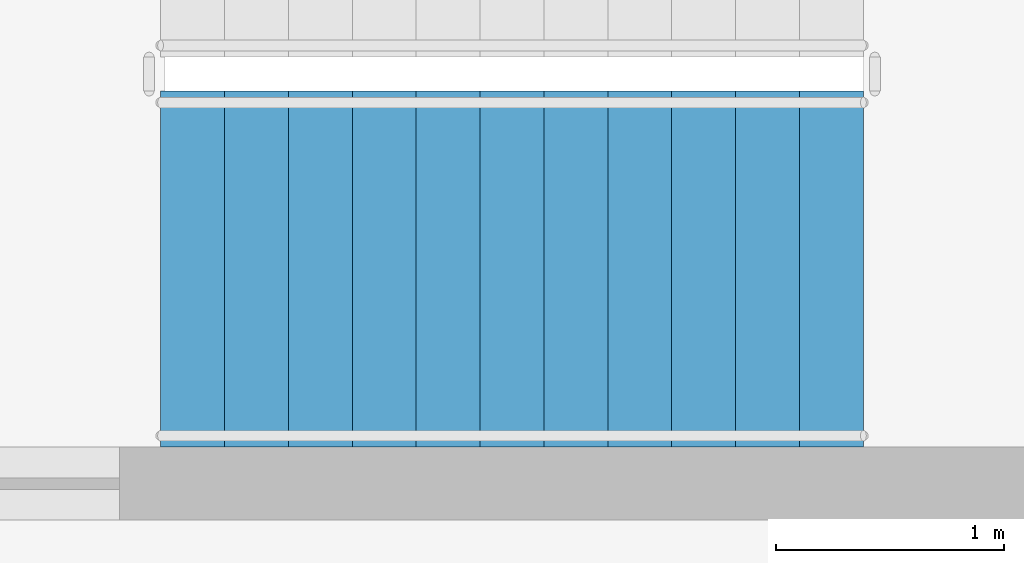
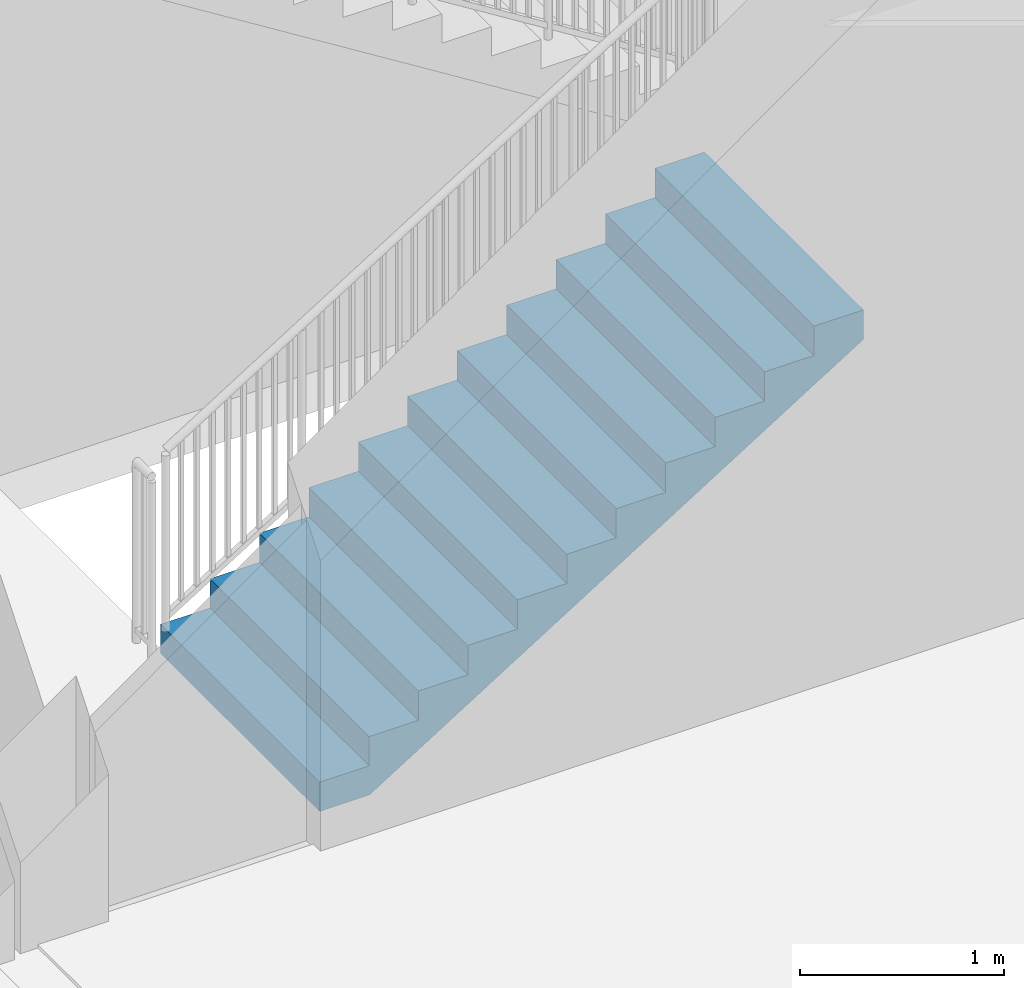
# One storey, part 48 of 63: 1 stair flight, 1 element without a shape of its own.
"""IFC4 building model written with IfcOpenShell, lengths in metres."""

import ifcopenshell
import ifcopenshell.guid

model = None  # the IFC model being written
_history = None  # IfcOwnerHistory: only IFC2X3 demands one
_inside = {}  # id of a spatial element -> (the spatial element, [elements in it])
_under = {}  # id of a project, library or spatial element -> (it, [spatial elements below it])
_declared = {}  # id of a project -> (the project, [libraries it declares])
_typed = {}  # id of a type object -> (the type object, [elements of that type])
_made_of = {}  # id of a material, layer set ... -> (it, [elements and type objects made of it])


def new_model(schema):
    """Start an empty IFC model of exactly this schema.

    Asked for "IFC4X3", IfcOpenShell would pick the latest addendum, in which some entities
    have other attributes; the version numbers below select the first issue.
    IFC2X3 requires an IfcOwnerHistory on every rooted entity: one is made here for all.
    """
    global model, _history
    if schema == "IFC4X3":
        model = ifcopenshell.file(schema_version=(4, 3, 0, 0))
    else:
        model = ifcopenshell.file(schema=schema)
    _inside.clear()
    _under.clear()
    _declared.clear()
    _typed.clear()
    _made_of.clear()
    _history = None
    if model.schema == "IFC2X3":
        org = make("IfcOrganization", Name="unknown")
        user = make(
            "IfcPersonAndOrganization",
            ThePerson=make("IfcPerson", FamilyName="unknown"),
            TheOrganization=org,
        )
        app = make(
            "IfcApplication",
            ApplicationDeveloper=org,
            Version="unknown",
            ApplicationFullName="unknown",
            ApplicationIdentifier="unknown",
        )
        _history = make(
            "IfcOwnerHistory",
            OwningUser=user,
            OwningApplication=app,
            ChangeAction="ADDED",
            CreationDate=0,
        )
    return model


def make(cls, **values):
    """One entity of the class cls with the attributes given. An attribute that is None is left unset."""
    return model.create_entity(
        cls, **{name: value for name, value in values.items() if value is not None}
    )


def rooted(cls, **values):
    """An entity with a GlobalId (a new one), such as an element, a storey or a relation."""
    return make(cls, GlobalId=ifcopenshell.guid.new(), OwnerHistory=_history, **values)


def si_unit(unit_type, name, prefix=None):
    """IfcSIUnit, for example si_unit("LENGTHUNIT", "METRE", prefix="MILLI")."""
    return make("IfcSIUnit", UnitType=unit_type, Prefix=prefix, Name=name)


def assignment(units):
    """IfcUnitAssignment: the units of a project."""
    return None if units is None else make("IfcUnitAssignment", Units=units)


def point(xyz):
    """IfcCartesianPoint."""
    return None if xyz is None else make("IfcCartesianPoint", Coordinates=xyz)


def direction(xyz):
    """IfcDirection."""
    return None if xyz is None else make("IfcDirection", DirectionRatios=xyz)


def frame(location, z_axis=None, x_axis=None):
    """IfcAxis2Placement3D, a coordinate frame: its origin and axes. An axis left out is left unset."""
    return make(
        "IfcAxis2Placement3D",
        Location=point(location),
        Axis=direction(z_axis),
        RefDirection=direction(x_axis),
    )


def origin():
    """The frame at (0, 0, 0) with its axes left unset."""
    return frame((0.0, 0.0, 0.0))


def place(relative_to, where):
    """IfcLocalPlacement: puts the frame where relative to a parent placement (None: the world)."""
    return make(
        "IfcLocalPlacement", PlacementRelTo=relative_to, RelativePlacement=where
    )


def context(
    kind, dimensions, precision=None, world=None, true_north=None, identifier=None
):
    """IfcGeometricRepresentationContext, for example the 3D "Model" context."""
    return make(
        "IfcGeometricRepresentationContext",
        ContextIdentifier=identifier,
        ContextType=kind,
        CoordinateSpaceDimension=dimensions,
        Precision=precision,
        WorldCoordinateSystem=world,
        TrueNorth=true_north,
    )


def subcontext(parent, identifier, kind, view, scale=None):
    """IfcGeometricRepresentationSubContext, for example "Body" below "Model"."""
    return make(
        "IfcGeometricRepresentationSubContext",
        ContextIdentifier=identifier,
        ContextType=kind,
        ParentContext=parent,
        TargetScale=scale,
        TargetView=view,
    )


def project(units=None, contexts=None):
    """IfcProject with its units and contexts."""
    return rooted(
        "IfcProject",
        Name="project",
        RepresentationContexts=contexts,
        UnitsInContext=assignment(units),
    )


def spatial(cls, under=None, at=None, **own):
    """A site, building, storey or space (cls), placed at a placement, below another one or the project."""
    s = rooted(cls, ObjectPlacement=at, **own)
    if under is not None:
        _under.setdefault(under.id(), (under, []))[1].append(s)
    return s


def point_list(points):
    """IfcCartesianPointList2D or 3D."""
    cls = (
        "IfcCartesianPointList2D" if len(points[0]) == 2 else "IfcCartesianPointList3D"
    )
    return make(cls, CoordList=points)


def polygons(points, faces, closed=None, point_numbers=None):
    """IfcPolygonalFaceSet: a face is its outer loop, then its inner loops; points numbered from 1."""
    made = []
    for loops in faces:
        if len(loops) == 1:
            made.append(make("IfcIndexedPolygonalFace", CoordIndex=loops[0]))
        else:
            made.append(
                make(
                    "IfcIndexedPolygonalFaceWithVoids",
                    CoordIndex=loops[0],
                    InnerCoordIndices=loops[1:],
                )
            )
    return make(
        "IfcPolygonalFaceSet",
        Coordinates=point_list(points),
        Closed=closed,
        Faces=made,
        PnIndex=point_numbers,
    )


def shape(context_of_items, identifier, shape_type, items):
    """IfcShapeRepresentation: the items that make up one representation, for example the "Body"."""
    return make(
        "IfcShapeRepresentation",
        ContextOfItems=context_of_items,
        RepresentationIdentifier=identifier,
        RepresentationType=shape_type,
        Items=items,
    )


def material(Name=None, Category=None):
    """IfcMaterial."""
    return make("IfcMaterial", Name=Name, Category=Category)


def made_of(thing, what):
    """Note that an element or type object is made of a material, layer set ...; save() writes the relation."""
    if what is not None:
        _made_of.setdefault(what.id(), (what, []))[1].append(thing)
    return thing


def type_object(cls, material=None, **own):
    """A type object (cls), such as IfcWallType, which elements share."""
    return made_of(rooted(cls, **own), material)


def element(
    cls,
    number,
    at=None,
    inside=None,
    cuts=None,
    type_object=None,
    material=None,
    context=None,
    identifier="Body",
    shape_type=None,
    held_by="IfcProductDefinitionShape",
    body=None,
    shapes=None,
    **own,
):
    """One element of the class cls, such as IfcWall. Its Tag is "e" and its number.

    at: its placement. inside: the storey or other place that contains it. cuts: it is an
    opening in that element (IfcRelVoidsElement). A single representation is given by context,
    identifier, shape_type and body (its items); several are given by shapes. held_by: the class
    of the entity that holds the representations. save() writes the other relations.
    """
    e = rooted(cls, Tag="e%d" % number, ObjectPlacement=at, **own)
    if body is not None:
        shapes = [shape(context, identifier, shape_type, body)]
    if shapes is not None:
        e.Representation = make(held_by, Representations=shapes)
    if inside is not None:
        _inside.setdefault(inside.id(), (inside, []))[1].append(e)
    if cuts is not None:
        rooted(
            "IfcRelVoidsElement", RelatingBuildingElement=cuts, RelatedOpeningElement=e
        )
    if type_object is not None:
        _typed.setdefault(type_object.id(), (type_object, []))[1].append(e)
    return made_of(e, material)


def aggregate(whole, parts):
    """IfcRelAggregates: a whole, such as a stair, and the parts it consists of."""
    return rooted("IfcRelAggregates", RelatingObject=whole, RelatedObjects=parts)


def save(model, path):
    """Write the relations noted so far, then the file.

    IfcRelAggregates (storeys below a building ...), IfcRelContainedInSpatialStructure (elements
    in a storey), IfcRelDefinesByType, IfcRelAssociatesMaterial and IfcRelDeclares: one each for
    every whole, place, type object, material and project.
    """
    for whole, parts in _under.values():
        aggregate(whole, parts)
    for where, things in _inside.values():
        rooted(
            "IfcRelContainedInSpatialStructure",
            RelatedElements=things,
            RelatingStructure=where,
        )
    for kind, things in _typed.values():
        rooted("IfcRelDefinesByType", RelatedObjects=things, RelatingType=kind)
    for what, things in _made_of.values():
        rooted("IfcRelAssociatesMaterial", RelatedObjects=things, RelatingMaterial=what)
    for by, libraries in _declared.values():
        rooted("IfcRelDeclares", RelatingContext=by, RelatedDefinitions=libraries)
    model.write(path)


model = new_model("IFC4")

# Units and contexts
model_context = context("Model", 3, precision=1e-05, world=origin(), true_north=direction((0.0, 1.0)))
body_context = subcontext(model_context, "Body", "Model", "MODEL_VIEW")
ifc_project = project(units=[si_unit("LENGTHUNIT", "METRE"), si_unit("AREAUNIT", "SQUARE_METRE"), si_unit("VOLUMEUNIT", "CUBIC_METRE"), si_unit("PLANEANGLEUNIT", "RADIAN"), si_unit("MASSUNIT", "GRAM", prefix="KILO")], contexts=[model_context])

# Site, building, storey
site_placement = place(None, origin())
site = spatial("IfcSite", under=ifc_project, at=site_placement, CompositionType="ELEMENT")
building_placement = place(site_placement, origin())
building = spatial("IfcBuilding", under=site, at=building_placement, Name="Zantavel Square City Hall", CompositionType="ELEMENT")
storey_placement = place(building_placement, frame((0.0, 0.0, 14.699951171875)))
storey = spatial("IfcBuildingStorey", under=building, at=storey_placement, Name="L04", CompositionType="ELEMENT", Elevation=14.699951171875)

# Stair, stair flight
ifc_material = material(Name="Concrete C35/45", Category="concrete")
stair_type = type_object("IfcStairType", Name="Enclosed Core Dogleg Stair L04 H4200", PredefinedType="HALF_TURN_STAIR", material=ifc_material)
stair_placement = place(storey_placement, origin())
stair = element("IfcStair", 1, at=stair_placement, inside=storey, type_object=stair_type, Name="L04 Exit Stair 1 North-West Core", PredefinedType="HALF_TURN_STAIR")
stair_flight_type = type_object("IfcStairFlightType", Name="Enclosed Core Stair Flight L04 W1560", PredefinedType="STRAIGHT", material=ifc_material)
stair_flight_placement = place(storey_placement, frame((50.030029296875, 80.8798828125, 0.0), z_axis=(0.0, 0.0, 1.0), x_axis=(1.0, 0.0, 0.0)))
stair_flight = element("IfcStairFlight", 2, at=stair_flight_placement, type_object=stair_flight_type, Name="ST1 flight 1", NumberOfRisers=12, NumberOfTreads=11, PredefinedType="STRAIGHT", RiserHeight=0.175, TreadLength=0.28, context=body_context, shape_type="Tessellation", body=[
    polygons([(0.28271484375, -0.780029296875, 0.0), (3.080078125, -0.780029296875, 1.748291015625), (3.080078125, -0.780029296875, 1.925048828125), (2.800048828125, -0.780029296875, 1.925048828125), (2.800048828125, -0.780029296875, 1.75), (2.52001953125, -0.780029296875, 1.75), (2.52001953125, -0.780029296875, 1.574951171875), (2.239990234375, -0.780029296875, 1.574951171875), (2.239990234375, -0.780029296875, 1.39990234375), (1.9599609375, -0.780029296875, 1.39990234375), (1.9599609375, -0.780029296875, 1.22509765625), (1.679931640625, -0.780029296875, 1.22509765625), (1.679931640625, -0.780029296875, 1.050048828125), (1.39990234375, -0.780029296875, 1.050048828125), (1.39990234375, -0.780029296875, 0.875), (1.1201171875, -0.780029296875, 0.875), (1.1201171875, -0.780029296875, 0.699951171875), (0.840087890625, -0.780029296875, 0.699951171875), (0.840087890625, -0.780029296875, 0.52490234375), (0.56005859375, -0.780029296875, 0.52490234375), (0.56005859375, -0.780029296875, 0.35009765625), (0.280029296875, -0.780029296875, 0.35009765625), (0.280029296875, -0.780029296875, 0.175048828125), (0.0, -0.780029296875, 0.175048828125), (0.0, -0.780029296875, 0.0), (0.28271484375, -0.5849609375, 0.0), (3.080078125, -0.5849609375, 1.748291015625), (3.080078125, -0.5849609375, 1.925048828125), (2.800048828125, -0.5849609375, 1.925048828125), (2.800048828125, -0.5849609375, 1.75), (2.52001953125, -0.5849609375, 1.75), (2.52001953125, -0.5849609375, 1.574951171875), (2.239990234375, -0.5849609375, 1.574951171875), (2.239990234375, -0.5849609375, 1.39990234375), (1.9599609375, -0.5849609375, 1.39990234375), (1.9599609375, -0.5849609375, 1.22509765625), (1.679931640625, -0.5849609375, 1.22509765625), (1.679931640625, -0.5849609375, 1.050048828125), (1.39990234375, -0.5849609375, 1.050048828125), (1.39990234375, -0.5849609375, 0.875), (1.1201171875, -0.5849609375, 0.875), (1.1201171875, -0.5849609375, 0.699951171875), (0.840087890625, -0.5849609375, 0.699951171875), (0.840087890625, -0.5849609375, 0.52490234375), (0.56005859375, -0.5849609375, 0.52490234375), (0.56005859375, -0.5849609375, 0.35009765625), (0.280029296875, -0.5849609375, 0.35009765625), (0.280029296875, -0.5849609375, 0.175048828125), (0.0, -0.5849609375, 0.175048828125), (0.0, -0.5849609375, 0.0), (0.28271484375, -0.39013671875, 0.0), (3.080078125, -0.39013671875, 1.748291015625), (3.080078125, -0.39013671875, 1.925048828125), (2.800048828125, -0.39013671875, 1.925048828125), (2.800048828125, -0.39013671875, 1.75), (2.52001953125, -0.39013671875, 1.75), (2.52001953125, -0.39013671875, 1.574951171875), (2.239990234375, -0.39013671875, 1.574951171875), (2.239990234375, -0.39013671875, 1.39990234375), (1.9599609375, -0.39013671875, 1.39990234375), (1.9599609375, -0.39013671875, 1.22509765625), (1.679931640625, -0.39013671875, 1.22509765625), (1.679931640625, -0.39013671875, 1.050048828125), (1.39990234375, -0.39013671875, 1.050048828125), (1.39990234375, -0.39013671875, 0.875), (1.1201171875, -0.39013671875, 0.875), (1.1201171875, -0.39013671875, 0.699951171875), (0.840087890625, -0.39013671875, 0.699951171875), (0.840087890625, -0.39013671875, 0.52490234375), (0.56005859375, -0.39013671875, 0.52490234375), (0.56005859375, -0.39013671875, 0.35009765625), (0.280029296875, -0.39013671875, 0.35009765625), (0.280029296875, -0.39013671875, 0.175048828125), (0.0, -0.39013671875, 0.175048828125), (0.0, -0.39013671875, 0.0), (0.28271484375, -0.195068359375, 0.0), (3.080078125, -0.195068359375, 1.748291015625), (3.080078125, -0.195068359375, 1.925048828125), (2.800048828125, -0.195068359375, 1.925048828125), (2.800048828125, -0.195068359375, 1.75), (2.52001953125, -0.195068359375, 1.75), (2.52001953125, -0.195068359375, 1.574951171875), (2.239990234375, -0.195068359375, 1.574951171875), (2.239990234375, -0.195068359375, 1.39990234375), (1.9599609375, -0.195068359375, 1.39990234375), (1.9599609375, -0.195068359375, 1.22509765625), (1.679931640625, -0.195068359375, 1.22509765625), (1.679931640625, -0.195068359375, 1.050048828125), (1.39990234375, -0.195068359375, 1.050048828125), (1.39990234375, -0.195068359375, 0.875), (1.1201171875, -0.195068359375, 0.875), (1.1201171875, -0.195068359375, 0.699951171875), (0.840087890625, -0.195068359375, 0.699951171875), (0.840087890625, -0.195068359375, 0.52490234375), (0.56005859375, -0.195068359375, 0.52490234375), (0.56005859375, -0.195068359375, 0.35009765625), (0.280029296875, -0.195068359375, 0.35009765625), (0.280029296875, -0.195068359375, 0.175048828125), (0.0, -0.195068359375, 0.175048828125), (0.0, -0.195068359375, 0.0), (0.28271484375, 0.0, 0.0), (3.080078125, 0.0, 1.748291015625), (3.080078125, 0.0, 1.925048828125), (2.800048828125, 0.0, 1.925048828125), (2.800048828125, 0.0, 1.75), (2.52001953125, 0.0, 1.75), (2.52001953125, 0.0, 1.574951171875), (2.239990234375, 0.0, 1.574951171875), (2.239990234375, 0.0, 1.39990234375), (1.9599609375, 0.0, 1.39990234375), (1.9599609375, 0.0, 1.22509765625), (1.679931640625, 0.0, 1.22509765625), (1.679931640625, 0.0, 1.050048828125), (1.39990234375, 0.0, 1.050048828125), (1.39990234375, 0.0, 0.875), (1.1201171875, 0.0, 0.875), (1.1201171875, 0.0, 0.699951171875), (0.840087890625, 0.0, 0.699951171875), (0.840087890625, 0.0, 0.52490234375), (0.56005859375, 0.0, 0.52490234375), (0.56005859375, 0.0, 0.35009765625), (0.280029296875, 0.0, 0.35009765625), (0.280029296875, 0.0, 0.175048828125), (0.0, 0.0, 0.175048828125), (0.0, 0.0, 0.0), (0.28271484375, 0.195068359375, 0.0), (3.080078125, 0.195068359375, 1.748291015625), (3.080078125, 0.195068359375, 1.925048828125), (2.800048828125, 0.195068359375, 1.925048828125), (2.800048828125, 0.195068359375, 1.75), (2.52001953125, 0.195068359375, 1.75), (2.52001953125, 0.195068359375, 1.574951171875), (2.239990234375, 0.195068359375, 1.574951171875), (2.239990234375, 0.195068359375, 1.39990234375), (1.9599609375, 0.195068359375, 1.39990234375), (1.9599609375, 0.195068359375, 1.22509765625), (1.679931640625, 0.195068359375, 1.22509765625), (1.679931640625, 0.195068359375, 1.050048828125), (1.39990234375, 0.195068359375, 1.050048828125), (1.39990234375, 0.195068359375, 0.875), (1.1201171875, 0.195068359375, 0.875), (1.1201171875, 0.195068359375, 0.699951171875), (0.840087890625, 0.195068359375, 0.699951171875), (0.840087890625, 0.195068359375, 0.52490234375), (0.56005859375, 0.195068359375, 0.52490234375), (0.56005859375, 0.195068359375, 0.35009765625), (0.280029296875, 0.195068359375, 0.35009765625), (0.280029296875, 0.195068359375, 0.175048828125), (0.0, 0.195068359375, 0.175048828125), (0.0, 0.195068359375, 0.0), (0.28271484375, 0.39013671875, 0.0), (3.080078125, 0.39013671875, 1.748291015625), (3.080078125, 0.39013671875, 1.925048828125), (2.800048828125, 0.39013671875, 1.925048828125), (2.800048828125, 0.39013671875, 1.75), (2.52001953125, 0.39013671875, 1.75), (2.52001953125, 0.39013671875, 1.574951171875), (2.239990234375, 0.39013671875, 1.574951171875), (2.239990234375, 0.39013671875, 1.39990234375), (1.9599609375, 0.39013671875, 1.39990234375), (1.9599609375, 0.39013671875, 1.22509765625), (1.679931640625, 0.39013671875, 1.22509765625), (1.679931640625, 0.39013671875, 1.050048828125), (1.39990234375, 0.39013671875, 1.050048828125), (1.39990234375, 0.39013671875, 0.875), (1.1201171875, 0.39013671875, 0.875), (1.1201171875, 0.39013671875, 0.699951171875), (0.840087890625, 0.39013671875, 0.699951171875), (0.840087890625, 0.39013671875, 0.52490234375), (0.56005859375, 0.39013671875, 0.52490234375), (0.56005859375, 0.39013671875, 0.35009765625), (0.280029296875, 0.39013671875, 0.35009765625), (0.280029296875, 0.39013671875, 0.175048828125), (0.0, 0.39013671875, 0.175048828125), (0.0, 0.39013671875, 0.0), (0.28271484375, 0.5849609375, 0.0), (3.080078125, 0.5849609375, 1.748291015625), (3.080078125, 0.5849609375, 1.925048828125), (2.800048828125, 0.5849609375, 1.925048828125), (2.800048828125, 0.5849609375, 1.75), (2.52001953125, 0.5849609375, 1.75), (2.52001953125, 0.5849609375, 1.574951171875), (2.239990234375, 0.5849609375, 1.574951171875), (2.239990234375, 0.5849609375, 1.39990234375), (1.9599609375, 0.5849609375, 1.39990234375), (1.9599609375, 0.5849609375, 1.22509765625), (1.679931640625, 0.5849609375, 1.22509765625), (1.679931640625, 0.5849609375, 1.050048828125), (1.39990234375, 0.5849609375, 1.050048828125), (1.39990234375, 0.5849609375, 0.875), (1.1201171875, 0.5849609375, 0.875), (1.1201171875, 0.5849609375, 0.699951171875), (0.840087890625, 0.5849609375, 0.699951171875), (0.840087890625, 0.5849609375, 0.52490234375), (0.56005859375, 0.5849609375, 0.52490234375), (0.56005859375, 0.5849609375, 0.35009765625), (0.280029296875, 0.5849609375, 0.35009765625), (0.280029296875, 0.5849609375, 0.175048828125), (0.0, 0.5849609375, 0.175048828125), (0.0, 0.5849609375, 0.0), (0.28271484375, 0.780029296875, 0.0), (3.080078125, 0.780029296875, 1.748291015625), (3.080078125, 0.780029296875, 1.925048828125), (2.800048828125, 0.780029296875, 1.925048828125), (2.800048828125, 0.780029296875, 1.75), (2.52001953125, 0.780029296875, 1.75), (2.52001953125, 0.780029296875, 1.574951171875), (2.239990234375, 0.780029296875, 1.574951171875), (2.239990234375, 0.780029296875, 1.39990234375), (1.9599609375, 0.780029296875, 1.39990234375), (1.9599609375, 0.780029296875, 1.22509765625), (1.679931640625, 0.780029296875, 1.22509765625), (1.679931640625, 0.780029296875, 1.050048828125), (1.39990234375, 0.780029296875, 1.050048828125), (1.39990234375, 0.780029296875, 0.875), (1.1201171875, 0.780029296875, 0.875), (1.1201171875, 0.780029296875, 0.699951171875), (0.840087890625, 0.780029296875, 0.699951171875), (0.840087890625, 0.780029296875, 0.52490234375), (0.56005859375, 0.780029296875, 0.52490234375), (0.56005859375, 0.780029296875, 0.35009765625), (0.280029296875, 0.780029296875, 0.35009765625), (0.280029296875, 0.780029296875, 0.175048828125), (0.0, 0.780029296875, 0.175048828125), (0.0, 0.780029296875, 0.0)], [[[1, 2, 3, 4, 5, 6, 7, 8, 9, 10, 11, 12, 13, 14, 15, 16, 17, 18, 19, 20, 21, 22, 23, 24, 25]], [[225, 224, 223, 222, 221, 220, 219, 218, 217, 216, 215, 214, 213, 212, 211, 210, 209, 208, 207, 206, 205, 204, 203, 202, 201]], [[1, 26, 27]], [[1, 27, 2]], [[2, 27, 28]], [[2, 28, 3]], [[3, 28, 29]], [[3, 29, 4]], [[4, 29, 30]], [[4, 30, 5]], [[5, 30, 31]], [[5, 31, 6]], [[6, 31, 32]], [[6, 32, 7]], [[7, 32, 33]], [[7, 33, 8]], [[8, 33, 34]], [[8, 34, 9]], [[9, 34, 35]], [[9, 35, 10]], [[10, 35, 36]], [[10, 36, 11]], [[11, 36, 37]], [[11, 37, 12]], [[12, 37, 38]], [[12, 38, 13]], [[13, 38, 39]], [[13, 39, 14]], [[14, 39, 40]], [[14, 40, 15]], [[15, 40, 41]], [[15, 41, 16]], [[16, 41, 42]], [[16, 42, 17]], [[17, 42, 43]], [[17, 43, 18]], [[18, 43, 44]], [[18, 44, 19]], [[19, 44, 45]], [[19, 45, 20]], [[20, 45, 46]], [[20, 46, 21]], [[21, 46, 47]], [[21, 47, 22]], [[22, 47, 48]], [[22, 48, 23]], [[23, 48, 49]], [[23, 49, 24]], [[24, 49, 50]], [[24, 50, 25]], [[25, 50, 26]], [[25, 26, 1]], [[26, 51, 52]], [[26, 52, 27]], [[27, 52, 53]], [[27, 53, 28]], [[28, 53, 54]], [[28, 54, 29]], [[29, 54, 55]], [[29, 55, 30]], [[30, 55, 56]], [[30, 56, 31]], [[31, 56, 57]], [[31, 57, 32]], [[32, 57, 58]], [[32, 58, 33]], [[33, 58, 59]], [[33, 59, 34]], [[34, 59, 60]], [[34, 60, 35]], [[35, 60, 61]], [[35, 61, 36]], [[36, 61, 62]], [[36, 62, 37]], [[37, 62, 63]], [[37, 63, 38]], [[38, 63, 64]], [[38, 64, 39]], [[39, 64, 65]], [[39, 65, 40]], [[40, 65, 66]], [[40, 66, 41]], [[41, 66, 67]], [[41, 67, 42]], [[42, 67, 68]], [[42, 68, 43]], [[43, 68, 69]], [[43, 69, 44]], [[44, 69, 70]], [[44, 70, 45]], [[45, 70, 71]], [[45, 71, 46]], [[46, 71, 72]], [[46, 72, 47]], [[47, 72, 73]], [[47, 73, 48]], [[48, 73, 74]], [[48, 74, 49]], [[49, 74, 75]], [[49, 75, 50]], [[50, 75, 51]], [[50, 51, 26]], [[51, 76, 77]], [[51, 77, 52]], [[52, 77, 78]], [[52, 78, 53]], [[53, 78, 79]], [[53, 79, 54]], [[54, 79, 80]], [[54, 80, 55]], [[55, 80, 81]], [[55, 81, 56]], [[56, 81, 82]], [[56, 82, 57]], [[57, 82, 83]], [[57, 83, 58]], [[58, 83, 84]], [[58, 84, 59]], [[59, 84, 85]], [[59, 85, 60]], [[60, 85, 86]], [[60, 86, 61]], [[61, 86, 87]], [[61, 87, 62]], [[62, 87, 88]], [[62, 88, 63]], [[63, 88, 89]], [[63, 89, 64]], [[64, 89, 90]], [[64, 90, 65]], [[65, 90, 91]], [[65, 91, 66]], [[66, 91, 92]], [[66, 92, 67]], [[67, 92, 93]], [[67, 93, 68]], [[68, 93, 94]], [[68, 94, 69]], [[69, 94, 95]], [[69, 95, 70]], [[70, 95, 96]], [[70, 96, 71]], [[71, 96, 97]], [[71, 97, 72]], [[72, 97, 98]], [[72, 98, 73]], [[73, 98, 99]], [[73, 99, 74]], [[74, 99, 100]], [[74, 100, 75]], [[75, 100, 76]], [[75, 76, 51]], [[76, 101, 102]], [[76, 102, 77]], [[77, 102, 103]], [[77, 103, 78]], [[78, 103, 104]], [[78, 104, 79]], [[79, 104, 105]], [[79, 105, 80]], [[80, 105, 106]], [[80, 106, 81]], [[81, 106, 107]], [[81, 107, 82]], [[82, 107, 108]], [[82, 108, 83]], [[83, 108, 109]], [[83, 109, 84]], [[84, 109, 110]], [[84, 110, 85]], [[85, 110, 111]], [[85, 111, 86]], [[86, 111, 112]], [[86, 112, 87]], [[87, 112, 113]], [[87, 113, 88]], [[88, 113, 114]], [[88, 114, 89]], [[89, 114, 115]], [[89, 115, 90]], [[90, 115, 116]], [[90, 116, 91]], [[91, 116, 117]], [[91, 117, 92]], [[92, 117, 118]], [[92, 118, 93]], [[93, 118, 119]], [[93, 119, 94]], [[94, 119, 120]], [[94, 120, 95]], [[95, 120, 121]], [[95, 121, 96]], [[96, 121, 122]], [[96, 122, 97]], [[97, 122, 123]], [[97, 123, 98]], [[98, 123, 124]], [[98, 124, 99]], [[99, 124, 125]], [[99, 125, 100]], [[100, 125, 101]], [[100, 101, 76]], [[101, 126, 102]], [[126, 127, 102]], [[102, 127, 103]], [[127, 128, 103]], [[103, 128, 104]], [[128, 129, 104]], [[104, 129, 105]], [[129, 130, 105]], [[105, 130, 106]], [[130, 131, 106]], [[106, 131, 107]], [[131, 132, 107]], [[107, 132, 108]], [[132, 133, 108]], [[108, 133, 109]], [[133, 134, 109]], [[109, 134, 110]], [[134, 135, 110]], [[110, 135, 111]], [[135, 136, 111]], [[111, 136, 112]], [[136, 137, 112]], [[112, 137, 113]], [[137, 138, 113]], [[113, 138, 114]], [[138, 139, 114]], [[114, 139, 115]], [[139, 140, 115]], [[115, 140, 116]], [[140, 141, 116]], [[116, 141, 117]], [[141, 142, 117]], [[117, 142, 118]], [[142, 143, 118]], [[118, 143, 119]], [[143, 144, 119]], [[119, 144, 120]], [[144, 145, 120]], [[120, 145, 121]], [[145, 146, 121]], [[121, 146, 122]], [[146, 147, 122]], [[122, 147, 123]], [[147, 148, 123]], [[123, 148, 124]], [[148, 149, 124]], [[124, 149, 125]], [[149, 150, 125]], [[125, 150, 101]], [[150, 126, 101]], [[126, 151, 127]], [[151, 152, 127]], [[127, 152, 128]], [[152, 153, 128]], [[128, 153, 129]], [[153, 154, 129]], [[129, 154, 130]], [[154, 155, 130]], [[130, 155, 131]], [[155, 156, 131]], [[131, 156, 132]], [[156, 157, 132]], [[132, 157, 133]], [[157, 158, 133]], [[133, 158, 134]], [[158, 159, 134]], [[134, 159, 135]], [[159, 160, 135]], [[135, 160, 136]], [[160, 161, 136]], [[136, 161, 137]], [[161, 162, 137]], [[137, 162, 138]], [[162, 163, 138]], [[138, 163, 139]], [[163, 164, 139]], [[139, 164, 140]], [[164, 165, 140]], [[140, 165, 141]], [[165, 166, 141]], [[141, 166, 142]], [[166, 167, 142]], [[142, 167, 143]], [[167, 168, 143]], [[143, 168, 144]], [[168, 169, 144]], [[144, 169, 145]], [[169, 170, 145]], [[145, 170, 146]], [[170, 171, 146]], [[146, 171, 147]], [[171, 172, 147]], [[147, 172, 148]], [[172, 173, 148]], [[148, 173, 149]], [[173, 174, 149]], [[149, 174, 150]], [[174, 175, 150]], [[150, 175, 126]], [[175, 151, 126]], [[151, 176, 152]], [[176, 177, 152]], [[152, 177, 153]], [[177, 178, 153]], [[153, 178, 154]], [[178, 179, 154]], [[154, 179, 155]], [[179, 180, 155]], [[155, 180, 156]], [[180, 181, 156]], [[156, 181, 157]], [[181, 182, 157]], [[157, 182, 158]], [[182, 183, 158]], [[158, 183, 159]], [[183, 184, 159]], [[159, 184, 160]], [[184, 185, 160]], [[160, 185, 161]], [[185, 186, 161]], [[161, 186, 162]], [[186, 187, 162]], [[162, 187, 163]], [[187, 188, 163]], [[163, 188, 164]], [[188, 189, 164]], [[164, 189, 165]], [[189, 190, 165]], [[165, 190, 166]], [[190, 191, 166]], [[166, 191, 167]], [[191, 192, 167]], [[167, 192, 168]], [[192, 193, 168]], [[168, 193, 169]], [[193, 194, 169]], [[169, 194, 170]], [[194, 195, 170]], [[170, 195, 171]], [[195, 196, 171]], [[171, 196, 172]], [[196, 197, 172]], [[172, 197, 173]], [[197, 198, 173]], [[173, 198, 174]], [[198, 199, 174]], [[174, 199, 175]], [[199, 200, 175]], [[175, 200, 151]], [[200, 176, 151]], [[176, 201, 177]], [[201, 202, 177]], [[177, 202, 178]], [[202, 203, 178]], [[178, 203, 179]], [[203, 204, 179]], [[179, 204, 180]], [[204, 205, 180]], [[180, 205, 181]], [[205, 206, 181]], [[181, 206, 182]], [[206, 207, 182]], [[182, 207, 183]], [[207, 208, 183]], [[183, 208, 184]], [[208, 209, 184]], [[184, 209, 185]], [[209, 210, 185]], [[185, 210, 186]], [[210, 211, 186]], [[186, 211, 187]], [[211, 212, 187]], [[187, 212, 188]], [[212, 213, 188]], [[188, 213, 189]], [[213, 214, 189]], [[189, 214, 190]], [[214, 215, 190]], [[190, 215, 191]], [[215, 216, 191]], [[191, 216, 192]], [[216, 217, 192]], [[192, 217, 193]], [[217, 218, 193]], [[193, 218, 194]], [[218, 219, 194]], [[194, 219, 195]], [[219, 220, 195]], [[195, 220, 196]], [[220, 221, 196]], [[196, 221, 197]], [[221, 222, 197]], [[197, 222, 198]], [[222, 223, 198]], [[198, 223, 199]], [[223, 224, 199]], [[199, 224, 200]], [[224, 225, 200]], [[200, 225, 176]], [[225, 201, 176]]], closed=True),
])
aggregate(stair, [stair_flight])

save(model, "model.ifc")
